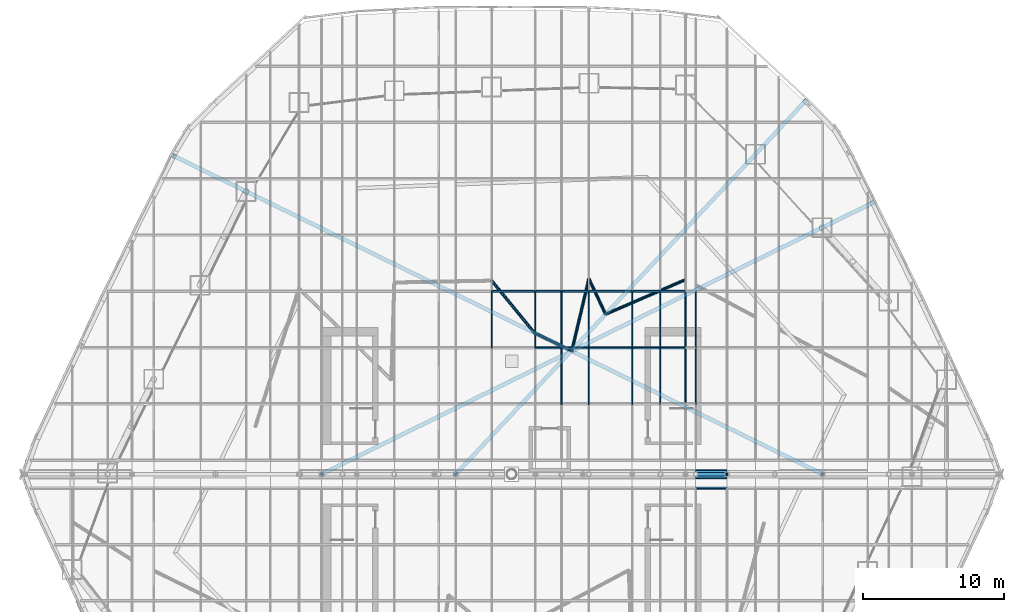
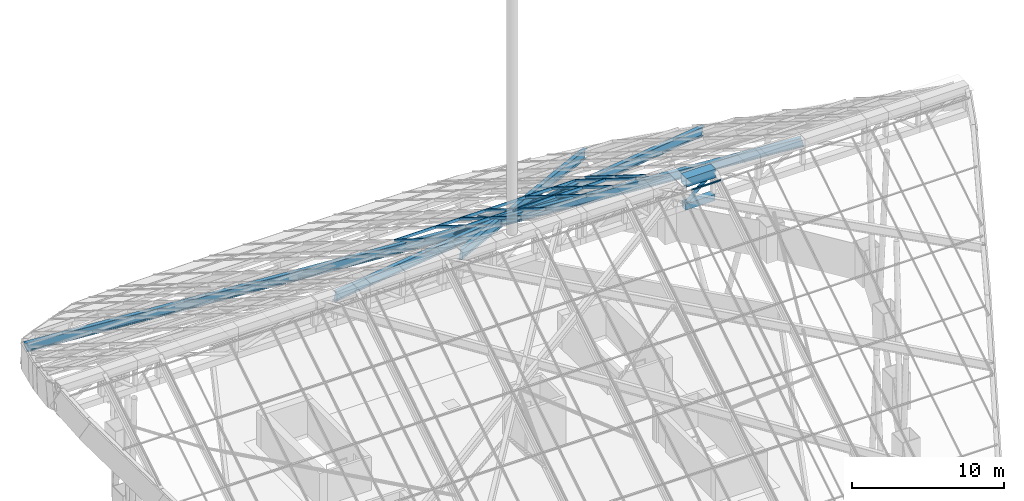
# One storey, part 18 of 38: 37 members, 15 elements without a shape of their own.
"""IFC4 building model written with IfcOpenShell, lengths in metres."""

import ifcopenshell
import ifcopenshell.guid

model = None  # the IFC model being written
_history = None  # IfcOwnerHistory: only IFC2X3 demands one
_inside = {}  # id of a spatial element -> (the spatial element, [elements in it])
_under = {}  # id of a project, library or spatial element -> (it, [spatial elements below it])
_declared = {}  # id of a project -> (the project, [libraries it declares])
_typed = {}  # id of a type object -> (the type object, [elements of that type])
_made_of = {}  # id of a material, layer set ... -> (it, [elements and type objects made of it])


def new_model(schema):
    """Start an empty IFC model of exactly this schema.

    Asked for "IFC4X3", IfcOpenShell would pick the latest addendum, in which some entities
    have other attributes; the version numbers below select the first issue.
    IFC2X3 requires an IfcOwnerHistory on every rooted entity: one is made here for all.
    """
    global model, _history
    if schema == "IFC4X3":
        model = ifcopenshell.file(schema_version=(4, 3, 0, 0))
    else:
        model = ifcopenshell.file(schema=schema)
    _inside.clear()
    _under.clear()
    _declared.clear()
    _typed.clear()
    _made_of.clear()
    _history = None
    if model.schema == "IFC2X3":
        org = make("IfcOrganization", Name="unknown")
        user = make(
            "IfcPersonAndOrganization",
            ThePerson=make("IfcPerson", FamilyName="unknown"),
            TheOrganization=org,
        )
        app = make(
            "IfcApplication",
            ApplicationDeveloper=org,
            Version="unknown",
            ApplicationFullName="unknown",
            ApplicationIdentifier="unknown",
        )
        _history = make(
            "IfcOwnerHistory",
            OwningUser=user,
            OwningApplication=app,
            ChangeAction="ADDED",
            CreationDate=0,
        )
    return model


def make(cls, **values):
    """One entity of the class cls with the attributes given. An attribute that is None is left unset."""
    return model.create_entity(
        cls, **{name: value for name, value in values.items() if value is not None}
    )


def rooted(cls, **values):
    """An entity with a GlobalId (a new one), such as an element, a storey or a relation."""
    return make(cls, GlobalId=ifcopenshell.guid.new(), OwnerHistory=_history, **values)


def si_unit(unit_type, name, prefix=None):
    """IfcSIUnit, for example si_unit("LENGTHUNIT", "METRE", prefix="MILLI")."""
    return make("IfcSIUnit", UnitType=unit_type, Prefix=prefix, Name=name)


def assignment(units):
    """IfcUnitAssignment: the units of a project."""
    return None if units is None else make("IfcUnitAssignment", Units=units)


def point(xyz):
    """IfcCartesianPoint."""
    return None if xyz is None else make("IfcCartesianPoint", Coordinates=xyz)


def direction(xyz):
    """IfcDirection."""
    return None if xyz is None else make("IfcDirection", DirectionRatios=xyz)


def frame(location, z_axis=None, x_axis=None):
    """IfcAxis2Placement3D, a coordinate frame: its origin and axes. An axis left out is left unset."""
    return make(
        "IfcAxis2Placement3D",
        Location=point(location),
        Axis=direction(z_axis),
        RefDirection=direction(x_axis),
    )


def frame_2d(location, x_axis=None):
    """IfcAxis2Placement2D, a coordinate frame in the plane: its origin and x axis."""
    return make(
        "IfcAxis2Placement2D", Location=point(location), RefDirection=direction(x_axis)
    )


def origin():
    """The frame at (0, 0, 0) with its axes left unset."""
    return frame((0.0, 0.0, 0.0))


def origin_2d():
    """The frame at (0, 0) in the plane with its x axis left unset."""
    return frame_2d((0.0, 0.0))


def place(relative_to, where):
    """IfcLocalPlacement: puts the frame where relative to a parent placement (None: the world)."""
    return make(
        "IfcLocalPlacement", PlacementRelTo=relative_to, RelativePlacement=where
    )


def context(
    kind, dimensions, precision=None, world=None, true_north=None, identifier=None
):
    """IfcGeometricRepresentationContext, for example the 3D "Model" context."""
    return make(
        "IfcGeometricRepresentationContext",
        ContextIdentifier=identifier,
        ContextType=kind,
        CoordinateSpaceDimension=dimensions,
        Precision=precision,
        WorldCoordinateSystem=world,
        TrueNorth=true_north,
    )


def subcontext(parent, identifier, kind, view, scale=None):
    """IfcGeometricRepresentationSubContext, for example "Body" below "Model"."""
    return make(
        "IfcGeometricRepresentationSubContext",
        ContextIdentifier=identifier,
        ContextType=kind,
        ParentContext=parent,
        TargetScale=scale,
        TargetView=view,
    )


def project(units=None, contexts=None):
    """IfcProject with its units and contexts."""
    return rooted(
        "IfcProject",
        Name="project",
        RepresentationContexts=contexts,
        UnitsInContext=assignment(units),
    )


def spatial(cls, under=None, at=None, **own):
    """A site, building, storey or space (cls), placed at a placement, below another one or the project."""
    s = rooted(cls, ObjectPlacement=at, **own)
    if under is not None:
        _under.setdefault(under.id(), (under, []))[1].append(s)
    return s


def profile(cls, at=None, kind="AREA", **sizes):
    """A parametric profile (cls). Its sizes go by their IFC names, for example OverallWidth=200.0."""
    return make(cls, ProfileType=kind, Position=at, **sizes)


def rectangle(**sizes):
    """IfcRectangleProfileDef."""
    return profile("IfcRectangleProfileDef", **sizes)


def hollow_rectangle(**sizes):
    """IfcRectangleHollowProfileDef."""
    return profile("IfcRectangleHollowProfileDef", **sizes)


def hollow_circle(**sizes):
    """IfcCircleHollowProfileDef."""
    return profile("IfcCircleHollowProfileDef", **sizes)


def i_section(**sizes):
    """IfcIShapeProfileDef."""
    return profile("IfcIShapeProfileDef", **sizes)


def extrude(swept, where, along, depth):
    """IfcExtrudedAreaSolid: the profile swept, set in the frame where, extruded along a direction by depth."""
    return make(
        "IfcExtrudedAreaSolid",
        SweptArea=swept,
        Position=where,
        ExtrudedDirection=direction(along),
        Depth=depth,
    )


def shape(context_of_items, identifier, shape_type, items):
    """IfcShapeRepresentation: the items that make up one representation, for example the "Body"."""
    return make(
        "IfcShapeRepresentation",
        ContextOfItems=context_of_items,
        RepresentationIdentifier=identifier,
        RepresentationType=shape_type,
        Items=items,
    )


def material(Name=None, Category=None):
    """IfcMaterial."""
    return make("IfcMaterial", Name=Name, Category=Category)


def layer(
    of_material, thickness, ventilated=None, Name=None, Category=None, Priority=None
):
    """IfcMaterialLayer: one layer of a wall or slab, of a material (None: an air gap)."""
    return make(
        "IfcMaterialLayer",
        Material=of_material,
        LayerThickness=thickness,
        IsVentilated=ventilated,
        Name=Name,
        Category=Category,
        Priority=Priority,
    )


def layer_set(layers, Name=None):
    """IfcMaterialLayerSet."""
    return make("IfcMaterialLayerSet", MaterialLayers=layers, LayerSetName=Name)


def material_profile(
    of_material, cross_section, Name=None, Category=None, Priority=None
):
    """IfcMaterialProfile: a cross section and its material."""
    return make(
        "IfcMaterialProfile",
        Name=Name,
        Material=of_material,
        Profile=cross_section,
        Priority=Priority,
        Category=Category,
    )


def profile_set(profiles, Name=None, composite=None):
    """IfcMaterialProfileSet."""
    return make(
        "IfcMaterialProfileSet",
        Name=Name,
        MaterialProfiles=profiles,
        CompositeProfile=composite,
    )


def made_of(thing, what):
    """Note that an element or type object is made of a material, layer set ...; save() writes the relation."""
    if what is not None:
        _made_of.setdefault(what.id(), (what, []))[1].append(thing)
    return thing


def type_object(cls, material=None, **own):
    """A type object (cls), such as IfcWallType, which elements share."""
    return made_of(rooted(cls, **own), material)


def element(
    cls,
    number,
    at=None,
    inside=None,
    cuts=None,
    type_object=None,
    material=None,
    context=None,
    identifier="Body",
    shape_type=None,
    held_by="IfcProductDefinitionShape",
    body=None,
    shapes=None,
    **own,
):
    """One element of the class cls, such as IfcWall. Its Tag is "e" and its number.

    at: its placement. inside: the storey or other place that contains it. cuts: it is an
    opening in that element (IfcRelVoidsElement). A single representation is given by context,
    identifier, shape_type and body (its items); several are given by shapes. held_by: the class
    of the entity that holds the representations. save() writes the other relations.
    """
    e = rooted(cls, Tag="e%d" % number, ObjectPlacement=at, **own)
    if body is not None:
        shapes = [shape(context, identifier, shape_type, body)]
    if shapes is not None:
        e.Representation = make(held_by, Representations=shapes)
    if inside is not None:
        _inside.setdefault(inside.id(), (inside, []))[1].append(e)
    if cuts is not None:
        rooted(
            "IfcRelVoidsElement", RelatingBuildingElement=cuts, RelatedOpeningElement=e
        )
    if type_object is not None:
        _typed.setdefault(type_object.id(), (type_object, []))[1].append(e)
    return made_of(e, material)


def aggregate(whole, parts):
    """IfcRelAggregates: a whole, such as a stair, and the parts it consists of."""
    return rooted("IfcRelAggregates", RelatingObject=whole, RelatedObjects=parts)


def save(model, path):
    """Write the relations noted so far, then the file.

    IfcRelAggregates (storeys below a building ...), IfcRelContainedInSpatialStructure (elements
    in a storey), IfcRelDefinesByType, IfcRelAssociatesMaterial and IfcRelDeclares: one each for
    every whole, place, type object, material and project.
    """
    for whole, parts in _under.values():
        aggregate(whole, parts)
    for where, things in _inside.values():
        rooted(
            "IfcRelContainedInSpatialStructure",
            RelatedElements=things,
            RelatingStructure=where,
        )
    for kind, things in _typed.values():
        rooted("IfcRelDefinesByType", RelatedObjects=things, RelatingType=kind)
    for what, things in _made_of.values():
        rooted("IfcRelAssociatesMaterial", RelatedObjects=things, RelatingMaterial=what)
    for by, libraries in _declared.values():
        rooted("IfcRelDeclares", RelatingContext=by, RelatedDefinitions=libraries)
    model.write(path)


model = new_model("IFC4")

# Units and contexts
model_context = context("Model", 3, precision=1e-05, world=origin(), true_north=direction((0.0, 1.0)))
body_context = subcontext(model_context, "Body", "Model", "MODEL_VIEW")
ifc_project = project(units=[si_unit("LENGTHUNIT", "METRE"), si_unit("AREAUNIT", "SQUARE_METRE"), si_unit("VOLUMEUNIT", "CUBIC_METRE"), si_unit("PLANEANGLEUNIT", "RADIAN"), si_unit("MASSUNIT", "GRAM", prefix="KILO")], contexts=[model_context])

# Site, building, storey
site_placement = place(None, origin())
site = spatial("IfcSite", under=ifc_project, at=site_placement, CompositionType="ELEMENT")
building_placement = place(site_placement, origin())
building = spatial("IfcBuilding", under=site, at=building_placement, Name="Dongbaek Canopy Tower", CompositionType="ELEMENT")
storey_placement = place(building_placement, frame((0.0, 0.0, 375.800048828125)))
storey = spatial("IfcBuildingStorey", under=building, at=storey_placement, Name="Roof", CompositionType="ELEMENT", Elevation=375.800048828125)

# Curtain wall, member
ifc_material_1 = material(Name="Aluminium 6063-T6 pale anodised", Category="aluminium")
ifc_layer = layer(ifc_material_1, 0.199951171875)
ifc_layer_set = layer_set([ifc_layer], Name="CW-6 canopy glazing curtain wall")
curtain_wall_type = type_object("IfcCurtainWallType", Name="CW-6 canopy glazing curtain wall", PredefinedType="NOTDEFINED", material=ifc_layer_set)
curtain_wall_1_placement = place(storey_placement, origin())
curtain_wall_1 = element("IfcCurtainWall", 1, at=curtain_wall_1_placement, inside=storey, type_object=curtain_wall_type, Name="CW-6 canopy glazing north 15.3", PredefinedType="NOTDEFINED")
ifc_material_2 = material(Name="Aluminium 6063-T6 pale anodised", Category="aluminium")
ifc_material_profile_1 = material_profile(ifc_material_2, rectangle(XDim=0.080078125, YDim=0.199951171875, at=origin_2d()), Name="CW-6 mullion 80 x 200")
ifc_profile_set_1 = profile_set([ifc_material_profile_1], Name="Aluminium 6063-T6 pale anodised")
member_type_1 = type_object("IfcMemberType", Name="CW-6 mullion 80 x 200", PredefinedType="MULLION", material=ifc_profile_set_1)
member_1_placement = place(storey_placement, frame((-1.41796875, 8.972412109375, 13.116943359375), z_axis=(0.0, 0.848068327403, -0.529886886095), x_axis=(-1.0, 0.0, 0.0)))
member_1 = element("IfcMember", 2, at=member_1_placement, type_object=member_type_1, Name="CW-6 mullion N15.3.-1.4", PredefinedType="MULLION", context=body_context, shape_type="SweptSolid", body=[
    extrude(rectangle(XDim=0.080078125, YDim=0.199951171875, at=origin_2d()), origin(), (0.0, 0.0, 1.0), 4.700439453125),
])
aggregate(curtain_wall_1, [member_1])

curtain_wall_2_placement = place(storey_placement, origin())
curtain_wall_2 = element("IfcCurtainWall", 3, at=curtain_wall_2_placement, inside=storey, type_object=curtain_wall_type, Name="CW-6 canopy glazing north 16.3", PredefinedType="NOTDEFINED")
member_2_placement = place(storey_placement, frame((1.68310546875, 8.972412109375, 13.116943359375), z_axis=(0.0, 0.848068327403, -0.529886886095), x_axis=(-1.0, 0.0, 0.0)))
member_2 = element("IfcMember", 4, at=member_2_placement, type_object=member_type_1, Name="CW-6 mullion N16.3.1.7", PredefinedType="MULLION", context=body_context, shape_type="SweptSolid", body=[
    extrude(rectangle(XDim=0.080078125, YDim=0.199951171875, at=origin_2d()), origin(), (0.0, 0.0, 1.0), 4.700439453125),
])

curtain_wall_3_placement = place(storey_placement, origin())
curtain_wall_3 = element("IfcCurtainWall", 5, at=curtain_wall_3_placement, inside=storey, type_object=curtain_wall_type, Name="CW-6 canopy glazing north 17.2", PredefinedType="NOTDEFINED")
member_3_placement = place(storey_placement, frame((3.535400390625, 4.986328125, 15.60791015625), z_axis=(0.0, 0.848030400431, -0.529947582262), x_axis=(-1.0, 0.0, 0.0)))
member_3 = element("IfcMember", 6, at=member_3_placement, type_object=member_type_1, Name="CW-6 mullion N17.2.3.5", PredefinedType="MULLION", context=body_context, shape_type="SweptSolid", body=[
    extrude(rectangle(XDim=0.080078125, YDim=0.199951171875, at=origin_2d()), origin(), (0.0, 0.0, 1.0), 4.700439453125),
])

curtain_wall_4_placement = place(storey_placement, origin())
curtain_wall_4 = element("IfcCurtainWall", 7, at=curtain_wall_4_placement, inside=storey, type_object=curtain_wall_type, Name="CW-6 canopy glazing north 17.3", PredefinedType="NOTDEFINED")
member_4_placement = place(storey_placement, frame((3.535400390625, 8.972412109375, 13.116943359375), z_axis=(0.0, 0.848068327403, -0.529886886095), x_axis=(-1.0, 0.0, 0.0)))
member_4 = element("IfcMember", 8, at=member_4_placement, type_object=member_type_1, Name="CW-6 mullion N17.3.3.5", PredefinedType="MULLION", context=body_context, shape_type="SweptSolid", body=[
    extrude(rectangle(XDim=0.080078125, YDim=0.199951171875, at=origin_2d()), origin(), (0.0, 0.0, 1.0), 4.700439453125),
])

curtain_wall_5_placement = place(storey_placement, origin())
curtain_wall_5 = element("IfcCurtainWall", 9, at=curtain_wall_5_placement, inside=storey, type_object=curtain_wall_type, Name="CW-6 canopy glazing north 18.2", PredefinedType="NOTDEFINED")
member_5_placement = place(storey_placement, frame((5.470947265625, 4.986328125, 15.60791015625), z_axis=(0.0, 0.848030400431, -0.529947582262), x_axis=(-1.0, 0.0, 0.0)))
member_5 = element("IfcMember", 10, at=member_5_placement, type_object=member_type_1, Name="CW-6 mullion N18.2.5.5", PredefinedType="MULLION", context=body_context, shape_type="SweptSolid", body=[
    extrude(rectangle(XDim=0.080078125, YDim=0.199951171875, at=origin_2d()), origin(), (0.0, 0.0, 1.0), 4.700439453125),
])

curtain_wall_6_placement = place(storey_placement, origin())
curtain_wall_6 = element("IfcCurtainWall", 11, at=curtain_wall_6_placement, inside=storey, type_object=curtain_wall_type, Name="CW-6 canopy glazing north 18.3", PredefinedType="NOTDEFINED")
member_6_placement = place(storey_placement, frame((5.470947265625, 8.972412109375, 13.116943359375), z_axis=(0.0, 0.848068327403, -0.529886886095), x_axis=(-1.0, 0.0, 0.0)))
member_6 = element("IfcMember", 12, at=member_6_placement, type_object=member_type_1, Name="CW-6 mullion N18.3.5.5", PredefinedType="MULLION", context=body_context, shape_type="SweptSolid", body=[
    extrude(rectangle(XDim=0.080078125, YDim=0.199951171875, at=origin_2d()), origin(), (0.0, 0.0, 1.0), 4.700439453125),
])

curtain_wall_7_placement = place(storey_placement, origin())
curtain_wall_7 = element("IfcCurtainWall", 13, at=curtain_wall_7_placement, inside=storey, type_object=curtain_wall_type, Name="CW-6 canopy glazing north 19.2", PredefinedType="NOTDEFINED")
member_7_placement = place(storey_placement, frame((8.533935546875, 4.986328125, 15.60791015625), z_axis=(0.0, 0.848030400431, -0.529947582262), x_axis=(-1.0, 0.0, 0.0)))
member_7 = element("IfcMember", 14, at=member_7_placement, type_object=member_type_1, Name="CW-6 mullion N19.2.8.5", PredefinedType="MULLION", context=body_context, shape_type="SweptSolid", body=[
    extrude(rectangle(XDim=0.080078125, YDim=0.199951171875, at=origin_2d()), origin(), (0.0, 0.0, 1.0), 4.700439453125),
])

curtain_wall_8_placement = place(storey_placement, origin())
curtain_wall_8 = element("IfcCurtainWall", 15, at=curtain_wall_8_placement, inside=storey, type_object=curtain_wall_type, Name="CW-6 canopy glazing north 19.3", PredefinedType="NOTDEFINED")
member_8_placement = place(storey_placement, frame((8.533935546875, 8.972412109375, 13.116943359375), z_axis=(0.0, 0.848068327403, -0.529886886095), x_axis=(-1.0, 0.0, 0.0)))
member_8 = element("IfcMember", 16, at=member_8_placement, type_object=member_type_1, Name="CW-6 mullion N19.3.8.5", PredefinedType="MULLION", context=body_context, shape_type="SweptSolid", body=[
    extrude(rectangle(XDim=0.080078125, YDim=0.199951171875, at=origin_2d()), origin(), (0.0, 0.0, 1.0), 4.700439453125),
])

curtain_wall_9_placement = place(storey_placement, origin())
curtain_wall_9 = element("IfcCurtainWall", 17, at=curtain_wall_9_placement, inside=storey, type_object=curtain_wall_type, Name="CW-6 canopy glazing north 20.2", PredefinedType="NOTDEFINED")
member_9_placement = place(storey_placement, frame((10.535400390625, 4.986328125, 15.60791015625), z_axis=(0.0, 0.848030400431, -0.529947582262), x_axis=(-1.0, 0.0, 0.0)))
member_9 = element("IfcMember", 18, at=member_9_placement, type_object=member_type_1, Name="CW-6 mullion N20.2.10.5", PredefinedType="MULLION", context=body_context, shape_type="SweptSolid", body=[
    extrude(rectangle(XDim=0.080078125, YDim=0.199951171875, at=origin_2d()), origin(), (0.0, 0.0, 1.0), 4.700439453125),
])

curtain_wall_10_placement = place(storey_placement, origin())
curtain_wall_10 = element("IfcCurtainWall", 19, at=curtain_wall_10_placement, inside=storey, type_object=curtain_wall_type, Name="CW-6 canopy glazing north 20.3", PredefinedType="NOTDEFINED")
member_10_placement = place(storey_placement, frame((10.535400390625, 8.972412109375, 13.116943359375), z_axis=(0.0, 0.848068327403, -0.529886886095), x_axis=(-1.0, 0.0, 0.0)))
member_10 = element("IfcMember", 20, at=member_10_placement, type_object=member_type_1, Name="CW-6 mullion N20.3.10.5", PredefinedType="MULLION", context=body_context, shape_type="SweptSolid", body=[
    extrude(rectangle(XDim=0.080078125, YDim=0.199951171875, at=origin_2d()), origin(), (0.0, 0.0, 1.0), 4.700439453125),
])

curtain_wall_11_placement = place(storey_placement, origin())
curtain_wall_11 = element("IfcCurtainWall", 21, at=curtain_wall_11_placement, inside=storey, type_object=curtain_wall_type, Name="CW-6 canopy glazing north 21.2", PredefinedType="NOTDEFINED")
member_11_placement = place(storey_placement, frame((12.31396484375, 4.986328125, 15.60791015625), z_axis=(0.0, 0.848030400431, -0.529947582262), x_axis=(-1.0, 0.0, 0.0)))
member_11 = element("IfcMember", 22, at=member_11_placement, type_object=member_type_1, Name="CW-6 mullion N21.2.12.3", PredefinedType="MULLION", context=body_context, shape_type="SweptSolid", body=[
    extrude(rectangle(XDim=0.080078125, YDim=0.199951171875, at=origin_2d()), origin(), (0.0, 0.0, 1.0), 4.700439453125),
])

curtain_wall_12_placement = place(storey_placement, origin())
curtain_wall_12 = element("IfcCurtainWall", 23, at=curtain_wall_12_placement, inside=storey, type_object=curtain_wall_type, Name="CW-6 canopy glazing north 21.3", PredefinedType="NOTDEFINED")
member_12_placement = place(storey_placement, frame((12.31396484375, 8.972412109375, 13.116943359375), z_axis=(0.0, 0.848068327403, -0.529886886095), x_axis=(-1.0, 0.0, 0.0)))
member_12 = element("IfcMember", 24, at=member_12_placement, type_object=member_type_1, Name="CW-6 mullion N21.3.12.3", PredefinedType="MULLION", context=body_context, shape_type="SweptSolid", body=[
    extrude(rectangle(XDim=0.080078125, YDim=0.199951171875, at=origin_2d()), origin(), (0.0, 0.0, 1.0), 4.700439453125),
])

curtain_wall_13_placement = place(storey_placement, origin())
curtain_wall_13 = element("IfcCurtainWall", 25, at=curtain_wall_13_placement, inside=storey, type_object=curtain_wall_type, Name="CW-6 canopy glazing north 22.2", PredefinedType="NOTDEFINED")
member_13_placement = place(storey_placement, frame((13.035400390625, 4.986328125, 15.60791015625), z_axis=(0.0, 0.848030400431, -0.529947582262), x_axis=(-1.0, 0.0, 0.0)))
member_13 = element("IfcMember", 26, at=member_13_placement, type_object=member_type_1, Name="CW-6 mullion N22.2.13.0", PredefinedType="MULLION", context=body_context, shape_type="SweptSolid", body=[
    extrude(rectangle(XDim=0.080078125, YDim=0.199951171875, at=origin_2d()), origin(), (0.0, 0.0, 1.0), 4.700439453125),
])
aggregate(curtain_wall_13, [member_13])

curtain_wall_14_placement = place(storey_placement, origin())
curtain_wall_14 = element("IfcCurtainWall", 27, at=curtain_wall_14_placement, inside=storey, type_object=curtain_wall_type, Name="CW-6 canopy glazing north 22.3", PredefinedType="NOTDEFINED")
member_14_placement = place(storey_placement, frame((13.035400390625, 8.972412109375, 13.116943359375), z_axis=(0.0, 0.848068327403, -0.529886886095), x_axis=(-1.0, 0.0, 0.0)))
member_14 = element("IfcMember", 28, at=member_14_placement, type_object=member_type_1, Name="CW-6 mullion N22.3.13.0", PredefinedType="MULLION", context=body_context, shape_type="SweptSolid", body=[
    extrude(rectangle(XDim=0.080078125, YDim=0.199951171875, at=origin_2d()), origin(), (0.0, 0.0, 1.0), 4.700439453125),
])
aggregate(curtain_wall_14, [member_14])

# Member
ifc_material_3 = material(Name="Aluminium 6063-T6 pale anodised", Category="aluminium")
ifc_material_profile_2 = material_profile(ifc_material_3, rectangle(XDim=0.080078125, YDim=0.199951171875, at=origin_2d()), Name="CW-6 transom 80 x 200")
ifc_profile_set_2 = profile_set([ifc_material_profile_2], Name="Aluminium 6063-T6 pale anodised")
member_type_2 = type_object("IfcMemberType", Name="CW-6 transom 80 x 200", PredefinedType="USERDEFINED", material=ifc_profile_set_2)
member_15_placement = place(storey_placement, frame((-1.41796875, 12.958740234375, 10.626220703125), z_axis=(1.0, 0.0, 0.0), x_axis=(0.0, 0.848048096156, -0.529919264233)))
member_15 = element("IfcMember", 29, at=member_15_placement, type_object=member_type_2, Name="CW-6 transom N16.3.4", ObjectType="TRANSOM", PredefinedType="USERDEFINED", context=body_context, shape_type="SweptSolid", body=[
    extrude(rectangle(XDim=0.080078125, YDim=0.199951171875, at=origin_2d()), origin(), (0.0, 0.0, 1.0), 3.10107421875),
])

aggregate(curtain_wall_2, [member_2, member_15])

member_16_placement = place(storey_placement, frame((1.68310546875, 8.972412109375, 13.116943359375), z_axis=(1.0, 0.0, 0.0), x_axis=(0.0, 0.848048096156, -0.529919264233)))
member_16 = element("IfcMember", 30, at=member_16_placement, type_object=member_type_2, Name="CW-6 transom N17.2.3", ObjectType="TRANSOM", PredefinedType="USERDEFINED", context=body_context, shape_type="SweptSolid", body=[
    extrude(rectangle(XDim=0.080078125, YDim=0.199951171875, at=origin_2d()), origin(), (0.0, 0.0, 1.0), 1.852294921875),
])

aggregate(curtain_wall_3, [member_3, member_16])

member_17_placement = place(storey_placement, frame((1.68310546875, 12.958740234375, 10.626220703125), z_axis=(1.0, 0.0, 0.0), x_axis=(0.0, 0.848048096156, -0.529919264233)))
member_17 = element("IfcMember", 31, at=member_17_placement, type_object=member_type_2, Name="CW-6 transom N17.3.4", ObjectType="TRANSOM", PredefinedType="USERDEFINED", context=body_context, shape_type="SweptSolid", body=[
    extrude(rectangle(XDim=0.080078125, YDim=0.199951171875, at=origin_2d()), origin(), (0.0, 0.0, 1.0), 1.852294921875),
])

aggregate(curtain_wall_4, [member_4, member_17])

member_18_placement = place(storey_placement, frame((3.535400390625, 8.972412109375, 13.116943359375), z_axis=(1.0, 0.0, 0.0), x_axis=(0.0, 0.848048096156, -0.529919264233)))
member_18 = element("IfcMember", 32, at=member_18_placement, type_object=member_type_2, Name="CW-6 transom N18.2.3", ObjectType="TRANSOM", PredefinedType="USERDEFINED", context=body_context, shape_type="SweptSolid", body=[
    extrude(rectangle(XDim=0.080078125, YDim=0.199951171875, at=origin_2d()), origin(), (0.0, 0.0, 1.0), 1.935546875),
])

aggregate(curtain_wall_5, [member_5, member_18])

member_19_placement = place(storey_placement, frame((3.535400390625, 12.958740234375, 10.626220703125), z_axis=(1.0, 0.0, 0.0), x_axis=(0.0, 0.848048096156, -0.529919264233)))
member_19 = element("IfcMember", 33, at=member_19_placement, type_object=member_type_2, Name="CW-6 transom N18.3.4", ObjectType="TRANSOM", PredefinedType="USERDEFINED", context=body_context, shape_type="SweptSolid", body=[
    extrude(rectangle(XDim=0.080078125, YDim=0.199951171875, at=origin_2d()), origin(), (0.0, 0.0, 1.0), 1.935546875),
])

aggregate(curtain_wall_6, [member_6, member_19])

member_20_placement = place(storey_placement, frame((5.470947265625, 8.972412109375, 13.116943359375), z_axis=(1.0, 0.0, 0.0), x_axis=(0.0, 0.848048096156, -0.529919264233)))
member_20 = element("IfcMember", 34, at=member_20_placement, type_object=member_type_2, Name="CW-6 transom N19.2.3", ObjectType="TRANSOM", PredefinedType="USERDEFINED", context=body_context, shape_type="SweptSolid", body=[
    extrude(rectangle(XDim=0.080078125, YDim=0.199951171875, at=origin_2d()), origin(), (0.0, 0.0, 1.0), 3.06298828125),
])

aggregate(curtain_wall_7, [member_7, member_20])

member_21_placement = place(storey_placement, frame((5.470947265625, 12.958740234375, 10.626220703125), z_axis=(1.0, 0.0, 0.0), x_axis=(0.0, 0.848048096156, -0.529919264233)))
member_21 = element("IfcMember", 35, at=member_21_placement, type_object=member_type_2, Name="CW-6 transom N19.3.4", ObjectType="TRANSOM", PredefinedType="USERDEFINED", context=body_context, shape_type="SweptSolid", body=[
    extrude(rectangle(XDim=0.080078125, YDim=0.199951171875, at=origin_2d()), origin(), (0.0, 0.0, 1.0), 3.06298828125),
])

aggregate(curtain_wall_8, [member_8, member_21])

member_22_placement = place(storey_placement, frame((8.533935546875, 8.972412109375, 13.116943359375), z_axis=(1.0, 0.0, 0.0), x_axis=(0.0, 0.848048096156, -0.529919264233)))
member_22 = element("IfcMember", 36, at=member_22_placement, type_object=member_type_2, Name="CW-6 transom N20.2.3", ObjectType="TRANSOM", PredefinedType="USERDEFINED", context=body_context, shape_type="SweptSolid", body=[
    extrude(rectangle(XDim=0.080078125, YDim=0.199951171875, at=origin_2d()), origin(), (0.0, 0.0, 1.0), 2.00146484375),
])

aggregate(curtain_wall_9, [member_9, member_22])

member_23_placement = place(storey_placement, frame((8.533935546875, 12.958740234375, 10.626220703125), z_axis=(1.0, 0.0, 0.0), x_axis=(0.0, 0.848048096156, -0.529919264233)))
member_23 = element("IfcMember", 37, at=member_23_placement, type_object=member_type_2, Name="CW-6 transom N20.3.4", ObjectType="TRANSOM", PredefinedType="USERDEFINED", context=body_context, shape_type="SweptSolid", body=[
    extrude(rectangle(XDim=0.080078125, YDim=0.199951171875, at=origin_2d()), origin(), (0.0, 0.0, 1.0), 2.00146484375),
])

aggregate(curtain_wall_10, [member_10, member_23])

member_24_placement = place(storey_placement, frame((10.535400390625, 8.972412109375, 13.116943359375), z_axis=(1.0, 0.0, 0.0), x_axis=(0.0, 0.848048096156, -0.529919264233)))
member_24 = element("IfcMember", 38, at=member_24_placement, type_object=member_type_2, Name="CW-6 transom N21.2.3", ObjectType="TRANSOM", PredefinedType="USERDEFINED", context=body_context, shape_type="SweptSolid", body=[
    extrude(rectangle(XDim=0.080078125, YDim=0.199951171875, at=origin_2d()), origin(), (0.0, 0.0, 1.0), 1.778564453125),
])

aggregate(curtain_wall_11, [member_11, member_24])

member_25_placement = place(storey_placement, frame((10.535400390625, 12.958740234375, 10.626220703125), z_axis=(1.0, 0.0, 0.0), x_axis=(0.0, 0.848048096156, -0.529919264233)))
member_25 = element("IfcMember", 39, at=member_25_placement, type_object=member_type_2, Name="CW-6 transom N21.3.4", ObjectType="TRANSOM", PredefinedType="USERDEFINED", context=body_context, shape_type="SweptSolid", body=[
    extrude(rectangle(XDim=0.080078125, YDim=0.199951171875, at=origin_2d()), origin(), (0.0, 0.0, 1.0), 1.778564453125),
])

aggregate(curtain_wall_12, [member_12, member_25])

# Curtain wall, member
curtain_wall_15_placement = place(storey_placement, origin())
curtain_wall_15 = element("IfcCurtainWall", 40, at=curtain_wall_15_placement, inside=storey, type_object=curtain_wall_type, Name="CW-6 canopy glazing south 23.1", PredefinedType="NOTDEFINED")
member_26_placement = place(storey_placement, frame((13.035400390625, -1.0, 18.0986328125), z_axis=(1.0, 0.0, 0.0), x_axis=(0.0, 0.848048096156, 0.529919264233)))
member_26 = element("IfcMember", 41, at=member_26_placement, type_object=member_type_2, Name="CW-6 transom S23.1.1", ObjectType="TRANSOM", PredefinedType="USERDEFINED", context=body_context, shape_type="SweptSolid", body=[
    extrude(rectangle(XDim=0.080078125, YDim=0.199951171875, at=origin_2d()), origin(), (0.0, 0.0, 1.0), 2.216552734375),
])
aggregate(curtain_wall_15, [member_26])

# Members
ifc_material_4 = material(Name="Steel S355", Category="steel")
ifc_material_profile_3 = material_profile(ifc_material_4, hollow_circle(Radius=0.108154296875, WallThickness=0.00830078125, at=origin_2d()), Name="PURLIN CHS 216.3x8.2 Steel S355")
ifc_profile_set_3 = profile_set([ifc_material_profile_3], Name="Steel S355")
member_type_3 = type_object("IfcMemberType", Name="PURLIN CHS 216.3x8.2 Steel S355", PredefinedType="PURLIN", material=ifc_profile_set_3)
member_27_placement = place(storey_placement, frame((-1.41796875, 13.714111328125, 9.682373046875), z_axis=(0.570937716784, -0.696239722738, 0.435063641362), x_axis=(0.773256276312, 0.634093629635, 0.0)))
element("IfcMember", 42, at=member_27_placement, inside=storey, type_object=member_type_3, Name="PURLIN:1:04", PredefinedType="PURLIN", context=body_context, shape_type="SweptSolid", body=[
    extrude(hollow_circle(Radius=0.108154296875, WallThickness=0.00830078125, at=origin_2d()), origin(), (0.0, 0.0, 1.0), 5.311279296875),
])
member_28_placement = place(storey_placement, frame((1.614501953125, 10.01611328125, 11.9931640625), z_axis=(0.867959864868, -0.421216993516, 0.263100584096), x_axis=(0.436599073588, 0.89965618374, 0.0)))
element("IfcMember", 43, at=member_28_placement, inside=storey, type_object=member_type_3, Name="PURLIN:1:05", PredefinedType="PURLIN", context=body_context, shape_type="SweptSolid", body=[
    extrude(hollow_circle(Radius=0.108154296875, WallThickness=0.00830078125, at=origin_2d()), origin(), (0.0, 0.0, 1.0), 3.051025390625),
])
member_29_placement = place(storey_placement, frame((4.2626953125, 8.73095703125, 12.7958984375), z_axis=(0.19642426431, 0.831538646504, -0.519577701369), x_axis=(-0.973216366561, 0.229891069548, 0.0)))
element("IfcMember", 44, at=member_29_placement, inside=storey, type_object=member_type_3, Name="PURLIN:1:06", PredefinedType="PURLIN", context=body_context, shape_type="SweptSolid", body=[
    extrude(hollow_circle(Radius=0.108154296875, WallThickness=0.00830078125, at=origin_2d()), origin(), (0.0, 0.0, 1.0), 6.151123046875),
])
member_30_placement = place(storey_placement, frame((5.470947265625, 13.845947265625, 9.599853515625), z_axis=(0.371195458327, -0.787451535977, 0.492071143438), x_axis=(0.904539684968, 0.426389444425, 0.0)))
element("IfcMember", 45, at=member_30_placement, inside=storey, type_object=member_type_3, Name="PURLIN:1:07", PredefinedType="PURLIN", context=body_context, shape_type="SweptSolid", body=[
    extrude(hollow_circle(Radius=0.108154296875, WallThickness=0.00830078125, at=origin_2d()), origin(), (0.0, 0.0, 1.0), 3.191162109375),
])
member_31_placement = place(storey_placement, frame((6.655517578125, 11.3330078125, 11.170166015625), z_axis=(0.890745091195, 0.385437395677, -0.240855135976), x_axis=(-0.397128429067, 0.917763047211, 0.0)))
element("IfcMember", 46, at=member_31_placement, inside=storey, type_object=member_type_3, Name="PURLIN:1:08", PredefinedType="PURLIN", context=body_context, shape_type="SweptSolid", body=[
    extrude(hollow_circle(Radius=0.108154296875, WallThickness=0.00830078125, at=origin_2d()), origin(), (0.0, 0.0, 1.0), 6.3525390625),
])
ifc_material_5 = material(Name="Steel S355", Category="steel")
ifc_material_profile_4 = material_profile(ifc_material_5, i_section(OverallWidth=0.300048828125, OverallDepth=0.699951171875, WebThickness=0.012939453125, FlangeThickness=0.02392578125, FilletRadius=0.028076171875, at=origin_2d()), Name="RAFTER H 700x300x13x24 Steel S355")
ifc_profile_set_4 = profile_set([ifc_material_profile_4], Name="Steel S355")
member_type_4 = type_object("IfcMemberType", Name="RAFTER H 700x300x13x24 Steel S355", PredefinedType="RAFTER", material=ifc_profile_set_4)
member_32_placement = place(storey_placement, frame((-23.923583984375, 22.5419921875, 4.165771484375), z_axis=(0.865644509079, -0.424581875039, 0.265310789999), x_axis=(0.440363195034, 0.897819723809, 0.0)))
element("IfcMember", 47, at=member_32_placement, inside=storey, type_object=member_type_4, Name="RAFTER:15", PredefinedType="RAFTER", context=body_context, shape_type="SweptSolid", body=[
    extrude(i_section(OverallWidth=0.300048828125, OverallDepth=0.699951171875, WebThickness=0.012939453125, FlangeThickness=0.02392578125, FilletRadius=0.028076171875, at=origin_2d()), origin(), (0.0, 0.0, 1.0), 53.09228515625),
])
member_33_placement = place(storey_placement, frame((20.79541015625, 26.42138671875, 1.74169921875), z_axis=(-0.622172038336, -0.66391928703, 0.414865201026), x_axis=(0.72967554149, -0.683793539126, 0.0)))
element("IfcMember", 48, at=member_33_placement, inside=storey, type_object=member_type_4, Name="RAFTER:21", PredefinedType="RAFTER", context=body_context, shape_type="SweptSolid", body=[
    extrude(i_section(OverallWidth=0.300048828125, OverallDepth=0.699951171875, WebThickness=0.012939453125, FlangeThickness=0.02392578125, FilletRadius=0.028076171875, at=origin_2d()), origin(), (0.0, 0.0, 1.0), 39.796142578125),
])
member_34_placement = place(storey_placement, frame((25.55810546875, 19.21923828125, 6.2421875), z_axis=(-0.864744963809, -0.425899216333, 0.26613155599), x_axis=(0.441833170893, -0.89709723503, 0.0)))
element("IfcMember", 49, at=member_34_placement, inside=storey, type_object=member_type_4, Name="RAFTER:22", PredefinedType="RAFTER", context=body_context, shape_type="SweptSolid", body=[
    extrude(i_section(OverallWidth=0.300048828125, OverallDepth=0.699951171875, WebThickness=0.012939453125, FlangeThickness=0.02392578125, FilletRadius=0.028076171875, at=origin_2d()), origin(), (0.0, 0.0, 1.0), 45.126220703125),
])
ifc_material_6 = material(Name="Steel S355", Category="steel")
ifc_material_profile_5 = material_profile(ifc_material_6, hollow_rectangle(XDim=0.699951171875, YDim=0.699951171875, WallThickness=0.035888671875, at=origin_2d()), Name="RIDGE BEAM BOX 700x700x36 Steel S355")
ifc_profile_set_5 = profile_set([ifc_material_profile_5], Name="Steel S355")
member_type_5 = type_object("IfcMemberType", Name="RIDGE BEAM BOX 700x700x36 Steel S355", PredefinedType="MEMBER", material=ifc_profile_set_5)
member_35_placement = place(storey_placement, frame((13.035400390625, 0.0, 18.251708984375), z_axis=(1.0, 0.0, 0.0), x_axis=(0.0, 1.0, 0.0)))
element("IfcMember", 50, at=member_35_placement, inside=storey, type_object=member_type_5, Name="RIDGE:22", PredefinedType="MEMBER", context=body_context, shape_type="SweptSolid", body=[
    extrude(hollow_rectangle(XDim=0.699951171875, YDim=0.699951171875, WallThickness=0.035888671875, at=origin_2d()), origin(), (0.0, 0.0, 1.0), 2.216552734375),
])
ifc_material_7 = material(Name="Steel S355", Category="steel")
ifc_material_profile_6 = material_profile(ifc_material_7, hollow_circle(Radius=0.1337890625, WallThickness=0.00927734375, at=origin_2d()), Name="RIDGE BRACE CHS 267.4x9.3 Steel S355")
ifc_profile_set_6 = profile_set([ifc_material_profile_6], Name="Steel S355")
member_type_6 = type_object("IfcMemberType", Name="RIDGE BRACE CHS 267.4x9.3 Steel S355", PredefinedType="BRACE", material=ifc_profile_set_6)
member_36_placement = place(storey_placement, frame((13.035400390625, 0.0, 16.251708984375), z_axis=(0.742443709264, 0.0, 0.669908455369), x_axis=(0.0, 1.0, 0.0)))
element("IfcMember", 51, at=member_36_placement, inside=storey, type_object=member_type_6, Name="RIDGEBRACE:22", PredefinedType="BRACE", context=body_context, shape_type="SweptSolid", body=[
    extrude(hollow_circle(Radius=0.1337890625, WallThickness=0.00927734375, at=origin_2d()), origin(), (0.0, 0.0, 1.0), 2.985595703125),
])
ifc_material_8 = material(Name="Steel S355", Category="steel")
ifc_material_profile_7 = material_profile(ifc_material_8, hollow_rectangle(XDim=0.5, YDim=0.5, WallThickness=0.030029296875, at=origin_2d()), Name="RIDGE LOWER CHORD BOX 500x500x30 Steel S355")
ifc_profile_set_7 = profile_set([ifc_material_profile_7], Name="Steel S355")
member_type_7 = type_object("IfcMemberType", Name="RIDGE LOWER CHORD BOX 500x500x30 Steel S355", PredefinedType="CHORD", material=ifc_profile_set_7)
member_37_placement = place(storey_placement, frame((13.035400390625, 0.0, 16.251708984375), z_axis=(1.0, 0.0, 0.0), x_axis=(0.0, 1.0, 0.0)))
element("IfcMember", 52, at=member_37_placement, inside=storey, type_object=member_type_7, Name="RIDGELOW:22", PredefinedType="CHORD", context=body_context, shape_type="SweptSolid", body=[
    extrude(hollow_rectangle(XDim=0.5, YDim=0.5, WallThickness=0.030029296875, at=origin_2d()), origin(), (0.0, 0.0, 1.0), 2.216552734375),
])

save(model, "model.ifc")
